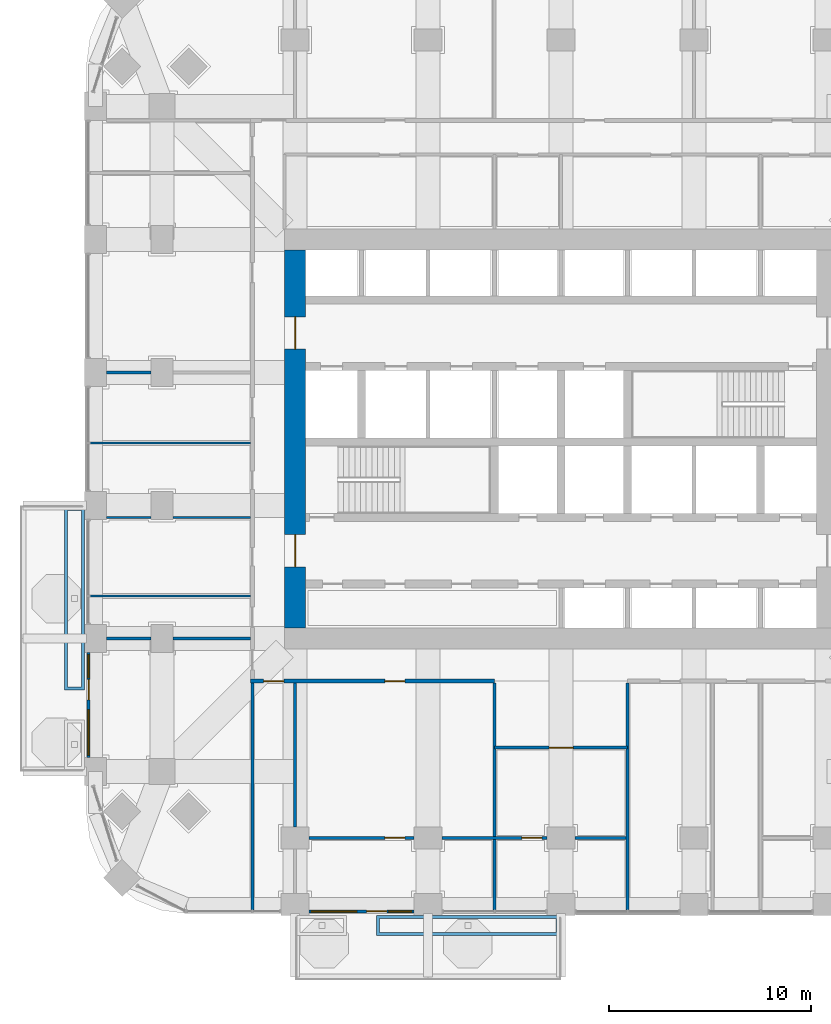
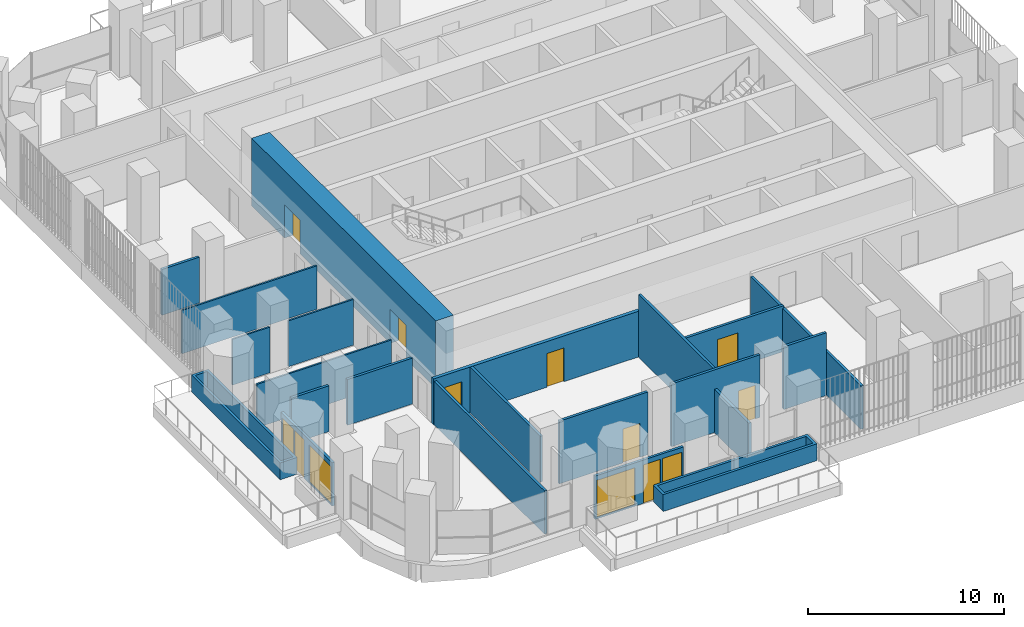
# One storey, part 13 of 21: 22 walls, 9 doors, 4 windows, 13 openings.
"""IFC4 building model written with IfcOpenShell, lengths in metres."""

from ifc_helpers import new_model, si_unit, direction, frame, frame_2d, origin, place, context, subcontext, project, spatial, polyline, rectangle, outline, extrude, material, layer, layer_set, type_object, element, fill, save


model = new_model("IFC4")

# Units and contexts
model_context = context("Model", 3, precision=1e-05, world=origin(), true_north=direction((0.0, 1.0)))
body_context = subcontext(model_context, "Body", "Model", "MODEL_VIEW")
ifc_project = project(units=[si_unit("LENGTHUNIT", "METRE"), si_unit("AREAUNIT", "SQUARE_METRE"), si_unit("VOLUMEUNIT", "CUBIC_METRE"), si_unit("PLANEANGLEUNIT", "RADIAN"), si_unit("MASSUNIT", "GRAM", prefix="KILO")], contexts=[model_context])

# Site, building, storey
site_placement = place(None, origin())
site = spatial("IfcSite", under=ifc_project, at=site_placement, CompositionType="ELEMENT")
building_placement = place(site_placement, origin())
building = spatial("IfcBuilding", under=site, at=building_placement, Name="Cobogo Forest Laboratory Tower", CompositionType="ELEMENT")
storey_placement = place(building_placement, frame((0.0, 0.0, 115.800048828125)))
storey = spatial("IfcBuildingStorey", under=building, at=storey_placement, Name="L26", CompositionType="ELEMENT", Elevation=115.800048828125)

# Wall, openings, doors
ifc_material_1 = material(Name="Concrete HA-50 (C50/60)", Category="concrete")
ifc_layer_1 = layer(ifc_material_1, 1.050048828125)
ifc_layer_set_1 = layer_set([ifc_layer_1], Name="CW1050 core outer wall 1050")
wall_type_1 = type_object("IfcWallType", Name="CW1050 core outer wall 1050", PredefinedType="SHEAR", material=ifc_layer_set_1)
wall_1_placement = place(storey_placement, frame((13.199951171875, 32.47509765625, 0.0), z_axis=(0.0, 0.0, 1.0), x_axis=(0.0, -1.0, 0.0)))
wall_1 = element("IfcWall", 1, at=wall_1_placement, inside=storey, type_object=wall_type_1, Name="Core wall CO-W L26", PredefinedType="SHEAR", context=body_context, shape_type="SweptSolid", body=[
    extrude(rectangle(XDim=18.75, YDim=1.050048828125, at=frame_2d((9.375, 0.0))), origin(), (0.0, 0.0, 1.0), 4.199951171875),
])
opening_1_placement = place(wall_1_placement, frame((14.125, 0.0, 0.0)))
opening_1 = element("IfcOpeningElement", 2, at=opening_1_placement, cuts=wall_1, Name="Opening L26-D21", PredefinedType="OPENING", context=body_context, shape_type="SweptSolid", body=[
    extrude(rectangle(XDim=1.60009765625, YDim=2.10009765625, at=frame_2d((0.800048828125, 1.050048828125))), frame((0.0, 0.534912109375, 0.0), z_axis=(0.0, -1.0, 0.0), x_axis=(1.0, 0.0, 0.0)), (0.0, 0.0, 1.0), 1.070068359375),
])
opening_2_placement = place(wall_1_placement, frame((3.324951171875, 0.0, 0.0)))
opening_2 = element("IfcOpeningElement", 3, at=opening_2_placement, cuts=wall_1, Name="Opening L26-D31", PredefinedType="OPENING", context=body_context, shape_type="SweptSolid", body=[
    extrude(rectangle(XDim=1.60009765625, YDim=2.10009765625, at=frame_2d((0.800048828125, 1.050048828125))), frame((0.0, 0.534912109375, 0.0), z_axis=(0.0, -1.0, 0.0), x_axis=(1.0, 0.0, 0.0)), (0.0, 0.0, 1.0), 1.070068359375),
])
ifc_material_2 = material(Name="Steel fire door", Category="steel")
door_type_1 = type_object("IfcDoorType", Name="DS2 protected lobby door pair 1600 EI2 60", OperationType="DOUBLE_DOOR_DOUBLE_SWING", PredefinedType="DOOR", material=ifc_material_2)
door_1_placement = place(opening_1_placement, origin())
door_1 = element("IfcDoor", 4, at=door_1_placement, inside=storey, type_object=door_type_1, Name="Door L26-CO-W-S", OperationType="DOUBLE_DOOR_DOUBLE_SWING", OverallHeight=2.10009765625, OverallWidth=1.60009765625, PredefinedType="DOOR", context=body_context, shape_type="SweptSolid", body=[
    extrude(rectangle(XDim=1.60009765625, YDim=2.10009765625, at=frame_2d((0.800048828125, 1.050048828125))), frame((0.0, 0.02490234375, 0.0), z_axis=(0.0, -1.0, 0.0), x_axis=(1.0, 0.0, 0.0)), (0.0, 0.0, 1.0), 0.050048828125),
])
fill(opening_1, door_1)
door_2_placement = place(opening_2_placement, origin())
door_2 = element("IfcDoor", 5, at=door_2_placement, inside=storey, type_object=door_type_1, Name="Door L26-CO-W-N", OperationType="DOUBLE_DOOR_DOUBLE_SWING", OverallHeight=2.10009765625, OverallWidth=1.60009765625, PredefinedType="DOOR", context=body_context, shape_type="SweptSolid", body=[
    extrude(rectangle(XDim=1.60009765625, YDim=2.10009765625, at=frame_2d((0.800048828125, 1.050048828125))), frame((0.0, 0.02490234375, 0.0), z_axis=(0.0, -1.0, 0.0), x_axis=(1.0, 0.0, 0.0)), (0.0, 0.0, 1.0), 0.050048828125),
])
fill(opening_2, door_2)

# Wall, openings, door, windows
ifc_material_3 = material(Name="Aluminium framed glazed screen", Category="aluminium")
ifc_layer_2 = layer(ifc_material_3, 0.14990234375)
ifc_layer_set_2 = layer_set([ifc_layer_2], Name="GS1 glazed door screen 150")
wall_type_2 = type_object("IfcWallType", Name="GS1 glazed door screen 150", PredefinedType="SOLIDWALL", material=ifc_layer_set_2)
wall_2_placement = place(storey_placement, frame((13.89990234375, -0.35009765625, 0.0), z_axis=(0.0, 0.0, 1.0), x_axis=(1.0, 0.0, 0.0)))
wall_2 = element("IfcWall", 6, at=wall_2_placement, inside=storey, type_object=wall_type_2, Name="Door screen BAL-S1 L26", PredefinedType="SOLIDWALL", context=body_context, shape_type="SweptSolid", body=[
    extrude(rectangle(XDim=5.2001953125, YDim=0.14990234375, at=frame_2d((2.60009765625, 0.0))), origin(), (0.0, 0.0, 1.0), 2.699951171875),
])
opening_3_placement = place(wall_2_placement, frame((2.85009765625, 0.0, 0.0)))
opening_3 = element("IfcOpeningElement", 7, at=opening_3_placement, cuts=wall_2, Name="Opening L26-D01", PredefinedType="OPENING", context=body_context, shape_type="SweptSolid", body=[
    extrude(rectangle(XDim=1.0, YDim=2.39990234375, at=frame_2d((0.5, 1.199951171875))), frame((0.0, 0.0849609375, 0.0), z_axis=(0.0, -1.0, 0.0), x_axis=(1.0, 0.0, 0.0)), (0.0, 0.0, 1.0), 0.169921875),
])
opening_4_placement = place(wall_2_placement, frame((0.10009765625, 0.0, 0.10009765625)))
opening_4 = element("IfcOpeningElement", 8, at=opening_4_placement, cuts=wall_2, Name="Opening L26-W01", PredefinedType="OPENING", context=body_context, shape_type="SweptSolid", body=[
    extrude(rectangle(XDim=2.25, YDim=2.300048828125, at=frame_2d((1.125, 1.14990234375))), frame((0.0, 0.0849609375, 0.0), z_axis=(0.0, -1.0, 0.0), x_axis=(1.0, 0.0, 0.0)), (0.0, 0.0, 1.0), 0.169921875),
])
opening_5_placement = place(wall_2_placement, frame((3.949951171875, 0.0, 0.10009765625)))
opening_5 = element("IfcOpeningElement", 9, at=opening_5_placement, cuts=wall_2, Name="Opening L26-W02", PredefinedType="OPENING", context=body_context, shape_type="SweptSolid", body=[
    extrude(rectangle(XDim=1.14990234375, YDim=2.300048828125, at=frame_2d((0.574951171875, 1.14990234375))), frame((0.0, 0.0849609375, 0.0), z_axis=(0.0, -1.0, 0.0), x_axis=(1.0, 0.0, 0.0)), (0.0, 0.0, 1.0), 0.169921875),
])
ifc_material_4 = material(Name="Aluminium glazed door", Category="aluminium")
door_type_2 = type_object("IfcDoorType", Name="DB1 balcony door 1000 glazed", OperationType="SINGLE_SWING_LEFT", PredefinedType="DOOR", material=ifc_material_4)
door_3_placement = place(opening_3_placement, origin())
door_3 = element("IfcDoor", 10, at=door_3_placement, inside=storey, type_object=door_type_2, Name="Door L26-BAL-S1", OperationType="SINGLE_SWING_RIGHT", OverallHeight=2.39990234375, OverallWidth=1.0, PredefinedType="DOOR", context=body_context, shape_type="SweptSolid", body=[
    extrude(rectangle(XDim=1.0, YDim=2.39990234375, at=frame_2d((0.5, 1.199951171875))), frame((0.0, 0.02490234375, 0.0), z_axis=(0.0, -1.0, 0.0), x_axis=(1.0, 0.0, 0.0)), (0.0, 0.0, 1.0), 0.050048828125),
])
fill(opening_3, door_3)
ifc_material_5 = material(Name="Aluminium framed glazing", Category="aluminium")
window_type_1 = type_object("IfcWindowType", Name="WG15 fixed glazed light 2250x2300", PartitioningType="SINGLE_PANEL", PredefinedType="WINDOW", material=ifc_material_5)
window_1_placement = place(opening_4_placement, origin())
window_1 = element("IfcWindow", 11, at=window_1_placement, inside=storey, type_object=window_type_1, Name="Window L26-BAL-S1-1", OverallHeight=2.300048828125, OverallWidth=2.25, PartitioningType="SINGLE_PANEL", PredefinedType="WINDOW", context=body_context, shape_type="SweptSolid", body=[
    extrude(rectangle(XDim=2.25, YDim=2.300048828125, at=frame_2d((1.125, 1.14990234375))), frame((0.0, 0.030029296875, 0.0), z_axis=(0.0, -1.0, 0.0), x_axis=(1.0, 0.0, 0.0)), (0.0, 0.0, 1.0), 0.06005859375),
])
fill(opening_4, window_1)
window_type_2 = type_object("IfcWindowType", Name="WG16 fixed glazed light 1150x2300", PartitioningType="SINGLE_PANEL", PredefinedType="WINDOW", material=ifc_material_5)
window_2_placement = place(opening_5_placement, origin())
window_2 = element("IfcWindow", 12, at=window_2_placement, inside=storey, type_object=window_type_2, Name="Window L26-BAL-S1-2", OverallHeight=2.300048828125, OverallWidth=1.14990234375, PartitioningType="SINGLE_PANEL", PredefinedType="WINDOW", context=body_context, shape_type="SweptSolid", body=[
    extrude(rectangle(XDim=1.14990234375, YDim=2.300048828125, at=frame_2d((0.574951171875, 1.14990234375))), frame((0.0, 0.030029296875, 0.0), z_axis=(0.0, -1.0, 0.0), x_axis=(1.0, 0.0, 0.0)), (0.0, 0.0, 1.0), 0.06005859375),
])
fill(opening_5, window_2)

wall_3_placement = place(storey_placement, frame((2.949951171875, 12.5, 0.0), z_axis=(0.0, 0.0, 1.0), x_axis=(0.0, -1.0, 0.0)))
wall_3 = element("IfcWall", 13, at=wall_3_placement, inside=storey, type_object=wall_type_2, Name="Door screen BAL-W1 L26", PredefinedType="SOLIDWALL", context=body_context, shape_type="SweptSolid", body=[
    extrude(rectangle(XDim=5.199951171875, YDim=0.14990234375, at=frame_2d((2.60009765625, 0.0))), origin(), (0.0, 0.0, 1.0), 2.699951171875),
])
opening_6_placement = place(wall_3_placement, frame((1.35009765625, 0.0, 0.0)))
opening_6 = element("IfcOpeningElement", 14, at=opening_6_placement, cuts=wall_3, Name="Opening L26-D06", PredefinedType="OPENING", context=body_context, shape_type="SweptSolid", body=[
    extrude(rectangle(XDim=1.0, YDim=2.39990234375, at=frame_2d((0.5, 1.199951171875))), frame((0.0, 0.0849609375, 0.0), z_axis=(0.0, -1.0, 0.0), x_axis=(1.0, 0.0, 0.0)), (0.0, 0.0, 1.0), 0.169921875),
])
opening_7_placement = place(wall_3_placement, frame((0.10009765625, 0.0, 0.10009765625)))
opening_7 = element("IfcOpeningElement", 15, at=opening_7_placement, cuts=wall_3, Name="Opening L26-W05", PredefinedType="OPENING", context=body_context, shape_type="SweptSolid", body=[
    extrude(rectangle(XDim=1.14990234375, YDim=2.300048828125, at=frame_2d((0.574951171875, 1.14990234375))), frame((0.0, 0.0849609375, 0.0), z_axis=(0.0, -1.0, 0.0), x_axis=(1.0, 0.0, 0.0)), (0.0, 0.0, 1.0), 0.169921875),
])
opening_8_placement = place(wall_3_placement, frame((2.85009765625, 0.0, 0.10009765625)))
opening_8 = element("IfcOpeningElement", 16, at=opening_8_placement, cuts=wall_3, Name="Opening L26-W03", PredefinedType="OPENING", context=body_context, shape_type="SweptSolid", body=[
    extrude(rectangle(XDim=2.25, YDim=2.300048828125, at=frame_2d((1.125, 1.14990234375))), frame((0.0, 0.0849609375, 0.0), z_axis=(0.0, -1.0, 0.0), x_axis=(1.0, 0.0, 0.0)), (0.0, 0.0, 1.0), 0.169921875),
])
door_4_placement = place(opening_6_placement, origin())
door_4 = element("IfcDoor", 17, at=door_4_placement, inside=storey, type_object=door_type_2, Name="Door L26-BAL-W1", OperationType="SINGLE_SWING_LEFT", OverallHeight=2.39990234375, OverallWidth=1.0, PredefinedType="DOOR", context=body_context, shape_type="SweptSolid", body=[
    extrude(rectangle(XDim=1.0, YDim=2.39990234375, at=frame_2d((0.5, 1.199951171875))), frame((0.0, 0.02490234375, 0.0), z_axis=(0.0, -1.0, 0.0), x_axis=(1.0, 0.0, 0.0)), (0.0, 0.0, 1.0), 0.050048828125),
])
fill(opening_6, door_4)
window_3_placement = place(opening_8_placement, origin())
window_3 = element("IfcWindow", 18, at=window_3_placement, inside=storey, type_object=window_type_1, Name="Window L26-BAL-W1-2", OverallHeight=2.300048828125, OverallWidth=2.25, PartitioningType="SINGLE_PANEL", PredefinedType="WINDOW", context=body_context, shape_type="SweptSolid", body=[
    extrude(rectangle(XDim=2.25, YDim=2.300048828125, at=frame_2d((1.125, 1.14990234375))), frame((0.0, 0.030029296875, 0.0), z_axis=(0.0, -1.0, 0.0), x_axis=(1.0, 0.0, 0.0)), (0.0, 0.0, 1.0), 0.06005859375),
])
fill(opening_8, window_3)
window_4_placement = place(opening_7_placement, origin())
window_4 = element("IfcWindow", 19, at=window_4_placement, inside=storey, type_object=window_type_2, Name="Window L26-BAL-W1-1", OverallHeight=2.300048828125, OverallWidth=1.14990234375, PartitioningType="SINGLE_PANEL", PredefinedType="WINDOW", context=body_context, shape_type="SweptSolid", body=[
    extrude(rectangle(XDim=1.14990234375, YDim=2.300048828125, at=frame_2d((0.574951171875, 1.14990234375))), frame((0.0, 0.030029296875, 0.0), z_axis=(0.0, -1.0, 0.0), x_axis=(1.0, 0.0, 0.0)), (0.0, 0.0, 1.0), 0.06005859375),
])
fill(opening_7, window_4)

# Wall
ifc_material_6 = material(Name="Gypsum board on steel studs", Category="steel")
ifc_layer_3 = layer(ifc_material_6, 0.14990234375)
ifc_layer_set_3 = layer_set([ifc_layer_3], Name="PT1 laboratory partition 150")
wall_type_3 = type_object("IfcWallType", Name="PT1 laboratory partition 150", PredefinedType="PARTITIONING", material=ifc_layer_set_3)
wall_4_placement = place(storey_placement, frame((11.074951171875, -0.27001953125, 0.0), z_axis=(0.0, 0.0, 1.0), x_axis=(0.0, 1.0, 0.0)))
element("IfcWall", 20, at=wall_4_placement, inside=storey, type_object=wall_type_3, Name="Partition PW-SW L26", PredefinedType="PARTITIONING", context=body_context, shape_type="SweptSolid", body=[
    extrude(rectangle(XDim=11.2451171875, YDim=0.14990234375, at=frame_2d((5.62255859375, 0.0))), origin(), (0.0, 0.0, 1.0), 2.699951171875),
])

# Wall, opening, door
wall_5_placement = place(storey_placement, frame((13.89990234375, 3.300048828125, 0.0), z_axis=(0.0, 0.0, 1.0), x_axis=(1.0, 0.0, 0.0)))
wall_5 = element("IfcWall", 21, at=wall_5_placement, inside=storey, type_object=wall_type_3, Name="Partition STRIP-S-1 L26", PredefinedType="PARTITIONING", context=body_context, shape_type="SweptSolid", body=[
    extrude(rectangle(XDim=5.2001953125, YDim=0.14990234375, at=frame_2d((2.60009765625, 0.0))), origin(), (0.0, 0.0, 1.0), 3.89990234375),
])
opening_9_placement = place(wall_5_placement, frame((3.75, 0.0, 0.0)))
opening_9 = element("IfcOpeningElement", 22, at=opening_9_placement, cuts=wall_5, Name="Opening L26-D02", PredefinedType="OPENING", context=body_context, shape_type="SweptSolid", body=[
    extrude(rectangle(XDim=1.0, YDim=2.10009765625, at=frame_2d((0.5, 1.050048828125))), frame((0.0, 0.0849609375, 0.0), z_axis=(0.0, -1.0, 0.0), x_axis=(1.0, 0.0, 0.0)), (0.0, 0.0, 1.0), 0.169921875),
])
ifc_material_7 = material(Name="Timber fire door", Category="wood")
door_type_3 = type_object("IfcDoorType", Name="FD2 fire door 1000 EI2 30", OperationType="SINGLE_SWING_LEFT", PredefinedType="DOOR", material=ifc_material_7)
door_5_placement = place(opening_9_placement, origin())
door_5 = element("IfcDoor", 23, at=door_5_placement, inside=storey, type_object=door_type_3, Name="Door L26-S2W", OperationType="SINGLE_SWING_RIGHT", OverallHeight=2.10009765625, OverallWidth=1.0, PredefinedType="DOOR", context=body_context, shape_type="SweptSolid", body=[
    extrude(rectangle(XDim=1.0, YDim=2.10009765625, at=frame_2d((0.5, 1.050048828125))), frame((0.0, 0.02490234375, 0.0), z_axis=(0.0, -1.0, 0.0), x_axis=(1.0, 0.0, 0.0)), (0.0, 0.0, 1.0), 0.050048828125),
])
fill(opening_9, door_5)

wall_6_placement = place(storey_placement, frame((20.5, 3.300048828125, 0.0), z_axis=(0.0, 0.0, 1.0), x_axis=(1.0, 0.0, 0.0)))
wall_6 = element("IfcWall", 24, at=wall_6_placement, inside=storey, type_object=wall_type_3, Name="Partition STRIP-S-2 L26", PredefinedType="PARTITIONING", context=body_context, shape_type="SweptSolid", body=[
    extrude(rectangle(XDim=5.199951171875, YDim=0.14990234375, at=frame_2d((2.60009765625, 0.0))), origin(), (0.0, 0.0, 1.0), 3.89990234375),
])
opening_10_placement = place(wall_6_placement, frame((3.949951171875, 0.0, 0.0)))
opening_10 = element("IfcOpeningElement", 25, at=opening_10_placement, cuts=wall_6, Name="Opening L26-D03", PredefinedType="OPENING", context=body_context, shape_type="SweptSolid", body=[
    extrude(rectangle(XDim=1.0, YDim=2.10009765625, at=frame_2d((0.5, 1.050048828125))), frame((0.0, 0.0849609375, 0.0), z_axis=(0.0, -1.0, 0.0), x_axis=(1.0, 0.0, 0.0)), (0.0, 0.0, 1.0), 0.169921875),
])
door_6_placement = place(opening_10_placement, origin())
door_6 = element("IfcDoor", 26, at=door_6_placement, inside=storey, type_object=door_type_3, Name="Door L26-S3W", OperationType="SINGLE_SWING_RIGHT", OverallHeight=2.10009765625, OverallWidth=1.0, PredefinedType="DOOR", context=body_context, shape_type="SweptSolid", body=[
    extrude(rectangle(XDim=1.0, YDim=2.10009765625, at=frame_2d((0.5, 1.050048828125))), frame((0.0, 0.02490234375, 0.0), z_axis=(0.0, -1.0, 0.0), x_axis=(1.0, 0.0, 0.0)), (0.0, 0.0, 1.0), 0.050048828125),
])
fill(opening_10, door_6)

# Wall
wall_7_placement = place(storey_placement, frame((27.10009765625, 3.300048828125, 0.0), z_axis=(0.0, 0.0, 1.0), x_axis=(1.0, 0.0, 0.0)))
element("IfcWall", 27, at=wall_7_placement, inside=storey, type_object=wall_type_3, Name="Partition STRIP-S-3 L26", PredefinedType="PARTITIONING", context=body_context, shape_type="SweptSolid", body=[
    extrude(rectangle(XDim=2.52490234375, YDim=0.14990234375, at=frame_2d((1.262451171875, 0.0))), origin(), (0.0, 0.0, 1.0), 3.89990234375),
])

# Wall, opening, door
wall_8_placement = place(storey_placement, frame((23.10009765625, 7.77490234375, 0.0), z_axis=(0.0, 0.0, 1.0), x_axis=(1.0, 0.0, 0.0)))
wall_8 = element("IfcWall", 28, at=wall_8_placement, inside=storey, type_object=wall_type_3, Name="Partition NODE-S-1 L26", PredefinedType="PARTITIONING", context=body_context, shape_type="SweptSolid", body=[
    extrude(rectangle(XDim=6.599853515625, YDim=0.14990234375, at=frame_2d((3.2998046875, 0.0))), origin(), (0.0, 0.0, 1.0), 2.849853515625),
])
opening_11_placement = place(wall_8_placement, frame((2.699951171875, 0.0, 0.0)))
opening_11 = element("IfcOpeningElement", 29, at=opening_11_placement, cuts=wall_8, Name="Opening L26-D05", PredefinedType="OPENING", context=body_context, shape_type="SweptSolid", body=[
    extrude(rectangle(XDim=1.199951171875, YDim=2.10009765625, at=frame_2d((0.60009765625, 1.050048828125))), frame((0.0, 0.0849609375, 0.0), z_axis=(0.0, -1.0, 0.0), x_axis=(1.0, 0.0, 0.0)), (0.0, 0.0, 1.0), 0.169921875),
])
ifc_material_8 = material(Name="Timber door", Category="wood")
door_type_4 = type_object("IfcDoorType", Name="D2 laboratory door 1200 unequal pair", OperationType="DOUBLE_DOOR_SINGLE_SWING", PredefinedType="DOOR", material=ifc_material_8)
door_7_placement = place(opening_11_placement, origin())
door_7 = element("IfcDoor", 30, at=door_7_placement, inside=storey, type_object=door_type_4, Name="Door L26-S3", OperationType="DOUBLE_DOOR_SINGLE_SWING", OverallHeight=2.10009765625, OverallWidth=1.199951171875, PredefinedType="DOOR", context=body_context, shape_type="SweptSolid", body=[
    extrude(rectangle(XDim=1.199951171875, YDim=2.10009765625, at=frame_2d((0.60009765625, 1.050048828125))), frame((0.0, 0.02490234375, 0.0), z_axis=(0.0, -1.0, 0.0), x_axis=(1.0, 0.0, 0.0)), (0.0, 0.0, 1.0), 0.050048828125),
])
fill(opening_11, door_7)

# Walls
wall_9_placement = place(storey_placement, frame((13.199951171875, 3.85009765625, 0.0), z_axis=(0.0, 0.0, 1.0), x_axis=(0.0, 1.0, 0.0)))
element("IfcWall", 31, at=wall_9_placement, inside=storey, type_object=wall_type_3, Name="Partition CUT-S13.2-2 L26", PredefinedType="PARTITIONING", context=body_context, shape_type="SweptSolid", body=[
    extrude(rectangle(XDim=7.125, YDim=0.14990234375, at=frame_2d((3.5625, 0.0))), origin(), (0.0, 0.0, 1.0), 2.849853515625),
])
wall_10_placement = place(storey_placement, frame((23.10009765625, -0.27001953125, 0.0), z_axis=(0.0, 0.0, 1.0), x_axis=(0.0, 1.0, 0.0)))
element("IfcWall", 32, at=wall_10_placement, inside=storey, type_object=wall_type_3, Name="Partition CUT-S23.1a-1 L26", PredefinedType="PARTITIONING", context=body_context, shape_type="SweptSolid", body=[
    extrude(rectangle(XDim=3.4951171875, YDim=0.14990234375, at=frame_2d((1.74755859375, 0.0))), origin(), (0.0, 0.0, 1.0), 2.699951171875),
])
wall_11_placement = place(storey_placement, frame((23.10009765625, 3.375, 0.0), z_axis=(0.0, 0.0, 1.0), x_axis=(0.0, 1.0, 0.0)))
element("IfcWall", 33, at=wall_11_placement, inside=storey, type_object=wall_type_3, Name="Partition CUT-S23.1b-1 L26", PredefinedType="PARTITIONING", context=body_context, shape_type="SweptSolid", body=[
    extrude(rectangle(XDim=7.60009765625, YDim=0.14990234375, at=frame_2d((3.800048828125, 0.0))), origin(), (0.0, 0.0, 1.0), 3.89990234375),
])
wall_12_placement = place(storey_placement, frame((29.699951171875, -0.27001953125, 0.0), z_axis=(0.0, 0.0, 1.0), x_axis=(0.0, 1.0, 0.0)))
element("IfcWall", 34, at=wall_12_placement, inside=storey, type_object=wall_type_3, Name="Partition CUT-S29.7-1 L26", PredefinedType="PARTITIONING", context=body_context, shape_type="SweptSolid", body=[
    extrude(rectangle(XDim=11.2451171875, YDim=0.14990234375, at=frame_2d((5.62255859375, 0.0))), origin(), (0.0, 0.0, 1.0), 2.699951171875),
])
wall_13_placement = place(storey_placement, frame((3.85009765625, 13.199951171875, 0.0), z_axis=(0.0, 0.0, 1.0), x_axis=(1.0, 0.0, 0.0)))
element("IfcWall", 35, at=wall_13_placement, inside=storey, type_object=wall_type_3, Name="Partition CUT-W13.2-1 L26", PredefinedType="PARTITIONING", context=body_context, shape_type="SweptSolid", body=[
    extrude(rectangle(XDim=2.199951171875, YDim=0.14990234375, at=frame_2d((1.10009765625, 0.0))), origin(), (0.0, 0.0, 1.0), 2.849853515625),
])
wall_14_placement = place(storey_placement, frame((7.14990234375, 13.199951171875, 0.0), z_axis=(0.0, 0.0, 1.0), x_axis=(1.0, 0.0, 0.0)))
element("IfcWall", 36, at=wall_14_placement, inside=storey, type_object=wall_type_3, Name="Partition CUT-W13.2-2 L26", PredefinedType="PARTITIONING", context=body_context, shape_type="SweptSolid", body=[
    extrude(rectangle(XDim=3.8251953125, YDim=0.14990234375, at=frame_2d((1.91259765625, 0.0))), origin(), (0.0, 0.0, 1.0), 2.849853515625),
])
wall_15_placement = place(storey_placement, frame((3.85009765625, 26.39990234375, 0.0), z_axis=(0.0, 0.0, 1.0), x_axis=(1.0, 0.0, 0.0)))
element("IfcWall", 37, at=wall_15_placement, inside=storey, type_object=wall_type_3, Name="Partition CUT-W26.4-1 L26", PredefinedType="PARTITIONING", context=body_context, shape_type="SweptSolid", body=[
    extrude(rectangle(XDim=2.199951171875, YDim=0.14990234375, at=frame_2d((1.10009765625, 0.0))), origin(), (0.0, 0.0, 1.0), 2.849853515625),
])

# Wall, openings, doors
ifc_layer_4 = layer(ifc_material_6, 0.199951171875)
ifc_layer_set_4 = layer_set([ifc_layer_4], Name="PT2 fire-rated corridor partition 200")
wall_type_4 = type_object("IfcWallType", Name="PT2 fire-rated corridor partition 200", PredefinedType="PARTITIONING", material=ifc_layer_set_4)
wall_16_placement = place(storey_placement, frame((10.97509765625, 11.074951171875, 0.0), z_axis=(0.0, 0.0, 1.0), x_axis=(1.0, 0.0, 0.0)))
wall_16 = element("IfcWall", 38, at=wall_16_placement, inside=storey, type_object=wall_type_4, Name="Partition CORR-S-1 L26", PredefinedType="PARTITIONING", context=body_context, shape_type="SweptSolid", body=[
    extrude(rectangle(XDim=12.125, YDim=0.199951171875, at=frame_2d((6.0625, 0.0))), origin(), (0.0, 0.0, 1.0), 2.849853515625),
])
opening_12_placement = place(wall_16_placement, frame((0.66259765625, 0.0, 0.0)))
opening_12 = element("IfcOpeningElement", 39, at=opening_12_placement, cuts=wall_16, Name="Opening L26-D08", PredefinedType="OPENING", context=body_context, shape_type="SweptSolid", body=[
    extrude(rectangle(XDim=1.0, YDim=2.10009765625, at=frame_2d((0.5, 1.050048828125))), frame((0.0, 0.10986328125, 0.0), z_axis=(0.0, -1.0, 0.0), x_axis=(1.0, 0.0, 0.0)), (0.0, 0.0, 1.0), 0.219970703125),
])
opening_13_placement = place(wall_16_placement, frame((6.675048828125, 0.0, 0.0)))
opening_13 = element("IfcOpeningElement", 40, at=opening_13_placement, cuts=wall_16, Name="Opening L26-D09", PredefinedType="OPENING", context=body_context, shape_type="SweptSolid", body=[
    extrude(rectangle(XDim=1.0, YDim=2.10009765625, at=frame_2d((0.5, 1.050048828125))), frame((0.0, 0.10986328125, 0.0), z_axis=(0.0, -1.0, 0.0), x_axis=(1.0, 0.0, 0.0)), (0.0, 0.0, 1.0), 0.219970703125),
])
door_type_5 = type_object("IfcDoorType", Name="FD1 fire door 1000 EI2 60", OperationType="SINGLE_SWING_LEFT", PredefinedType="DOOR", material=ifc_material_2)
door_8_placement = place(opening_13_placement, origin())
door_8 = element("IfcDoor", 41, at=door_8_placement, inside=storey, type_object=door_type_5, Name="Door L26-S2", OperationType="SINGLE_SWING_RIGHT", OverallHeight=2.10009765625, OverallWidth=1.0, PredefinedType="DOOR", context=body_context, shape_type="SweptSolid", body=[
    extrude(rectangle(XDim=1.0, YDim=2.10009765625, at=frame_2d((0.5, 1.050048828125))), frame((0.0, 0.02490234375, 0.0), z_axis=(0.0, -1.0, 0.0), x_axis=(1.0, 0.0, 0.0)), (0.0, 0.0, 1.0), 0.050048828125),
])
fill(opening_13, door_8)
door_9_placement = place(opening_12_placement, origin())
door_9 = element("IfcDoor", 42, at=door_9_placement, inside=storey, type_object=door_type_3, Name="Door L26-S1", OperationType="SINGLE_SWING_LEFT", OverallHeight=2.10009765625, OverallWidth=1.0, PredefinedType="DOOR", context=body_context, shape_type="SweptSolid", body=[
    extrude(rectangle(XDim=1.0, YDim=2.10009765625, at=frame_2d((0.5, 1.050048828125))), frame((0.0, 0.02490234375, 0.0), z_axis=(0.0, -1.0, 0.0), x_axis=(1.0, 0.0, 0.0)), (0.0, 0.0, 1.0), 0.050048828125),
])
fill(opening_12, door_9)

# Walls
ifc_layer_5 = layer(ifc_material_6, 0.10009765625)
ifc_layer_set_5 = layer_set([ifc_layer_5], Name="PT3 toilet partition 100")
wall_type_5 = type_object("IfcWallType", Name="PT3 toilet partition 100", PredefinedType="PARTITIONING", material=ifc_layer_set_5)
wall_17_placement = place(storey_placement, frame((3.030029296875, 15.300048828125, 0.0), z_axis=(0.0, 0.0, 1.0), x_axis=(1.0, 0.0, 0.0)))
element("IfcWall", 43, at=wall_17_placement, inside=storey, type_object=wall_type_5, Name="Partition SVC-W1-1 L26", PredefinedType="PARTITIONING", context=body_context, shape_type="SweptSolid", body=[
    extrude(rectangle(XDim=7.945068359375, YDim=0.10009765625, at=frame_2d((3.97265625, 0.0))), origin(), (0.0, 0.0, 1.0), 2.699951171875),
])
wall_18_placement = place(storey_placement, frame((3.85009765625, 19.199951171875, 0.0), z_axis=(0.0, 0.0, 1.0), x_axis=(1.0, 0.0, 0.0)))
element("IfcWall", 44, at=wall_18_placement, inside=storey, type_object=wall_type_5, Name="Partition SVC-W2-1 L26", PredefinedType="PARTITIONING", context=body_context, shape_type="SweptSolid", body=[
    extrude(rectangle(XDim=2.199951171875, YDim=0.10009765625, at=frame_2d((1.10009765625, 0.0))), origin(), (0.0, 0.0, 1.0), 2.849853515625),
])
wall_19_placement = place(storey_placement, frame((7.14990234375, 19.199951171875, 0.0), z_axis=(0.0, 0.0, 1.0), x_axis=(1.0, 0.0, 0.0)))
element("IfcWall", 45, at=wall_19_placement, inside=storey, type_object=wall_type_5, Name="Partition SVC-W2-2 L26", PredefinedType="PARTITIONING", context=body_context, shape_type="SweptSolid", body=[
    extrude(rectangle(XDim=3.8251953125, YDim=0.10009765625, at=frame_2d((1.91259765625, 0.0))), origin(), (0.0, 0.0, 1.0), 2.849853515625),
])
wall_20_placement = place(storey_placement, frame((3.030029296875, 22.89990234375, 0.0), z_axis=(0.0, 0.0, 1.0), x_axis=(1.0, 0.0, 0.0)))
element("IfcWall", 46, at=wall_20_placement, inside=storey, type_object=wall_type_5, Name="Partition SVC-W3-1 L26", PredefinedType="PARTITIONING", context=body_context, shape_type="SweptSolid", body=[
    extrude(rectangle(XDim=7.945068359375, YDim=0.10009765625, at=frame_2d((3.97265625, 0.0))), origin(), (0.0, 0.0, 1.0), 2.699951171875),
])
ifc_material_9 = material(Name="Concrete HA-40 (C40/50)", Category="concrete")
ifc_layer_6 = layer(ifc_material_9, 0.14990234375)
ifc_layer_set_6 = layer_set([ifc_layer_6], Name="Planter box 1000x1050")
wall_type_6 = type_object("IfcWallType", Name="Planter box 1000x1050", PredefinedType="USERDEFINED", material=ifc_layer_set_6)
wall_21_placement = place(storey_placement, origin())
element("IfcWall", 47, at=wall_21_placement, inside=storey, type_object=wall_type_6, Name="Planter BAL-S1-2 L26", ObjectType="PLANTER", PredefinedType="USERDEFINED", context=body_context, shape_type="SweptSolid", body=[
    extrude(outline(polyline([(17.25, -1.550048828125), (26.300048828125, -1.550048828125), (26.300048828125, -0.550048828125), (17.25, -0.550048828125), (17.25, -1.550048828125)]), holes=[polyline([(17.39990234375, -1.39990234375), (26.14990234375, -1.39990234375), (26.14990234375, -0.699951171875), (17.39990234375, -0.699951171875), (17.39990234375, -1.39990234375)])]), origin(), (0.0, 0.0, 1.0), 1.050048828125),
])
wall_22_placement = place(storey_placement, origin())
element("IfcWall", 48, at=wall_22_placement, inside=storey, type_object=wall_type_6, Name="Planter BAL-W1-2 L26", ObjectType="PLANTER", PredefinedType="USERDEFINED", context=body_context, shape_type="SweptSolid", body=[
    extrude(outline(polyline([(1.75, 10.64990234375), (2.75, 10.64990234375), (2.75, 19.699951171875), (1.75, 19.699951171875), (1.75, 10.64990234375)]), holes=[polyline([(1.89990234375, 10.800048828125), (2.60009765625, 10.800048828125), (2.60009765625, 19.550048828125), (1.89990234375, 19.550048828125), (1.89990234375, 10.800048828125)])]), origin(), (0.0, 0.0, 1.0), 1.050048828125),
])

save(model, "model.ifc")
